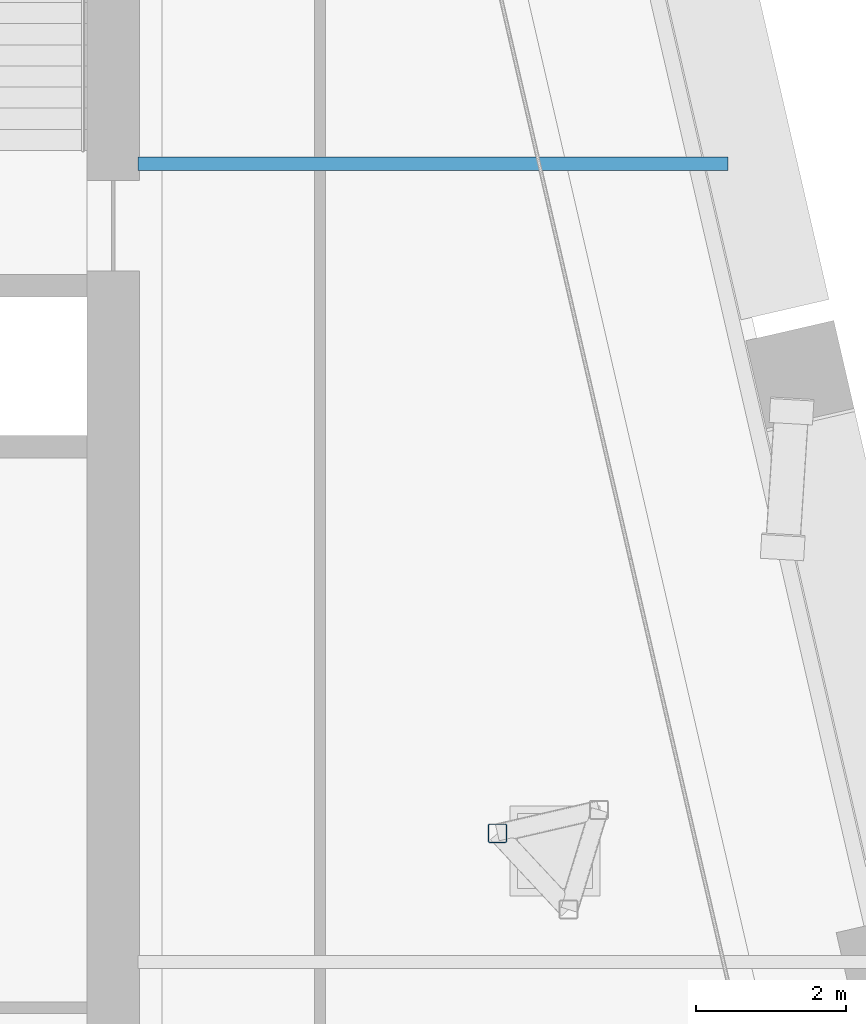
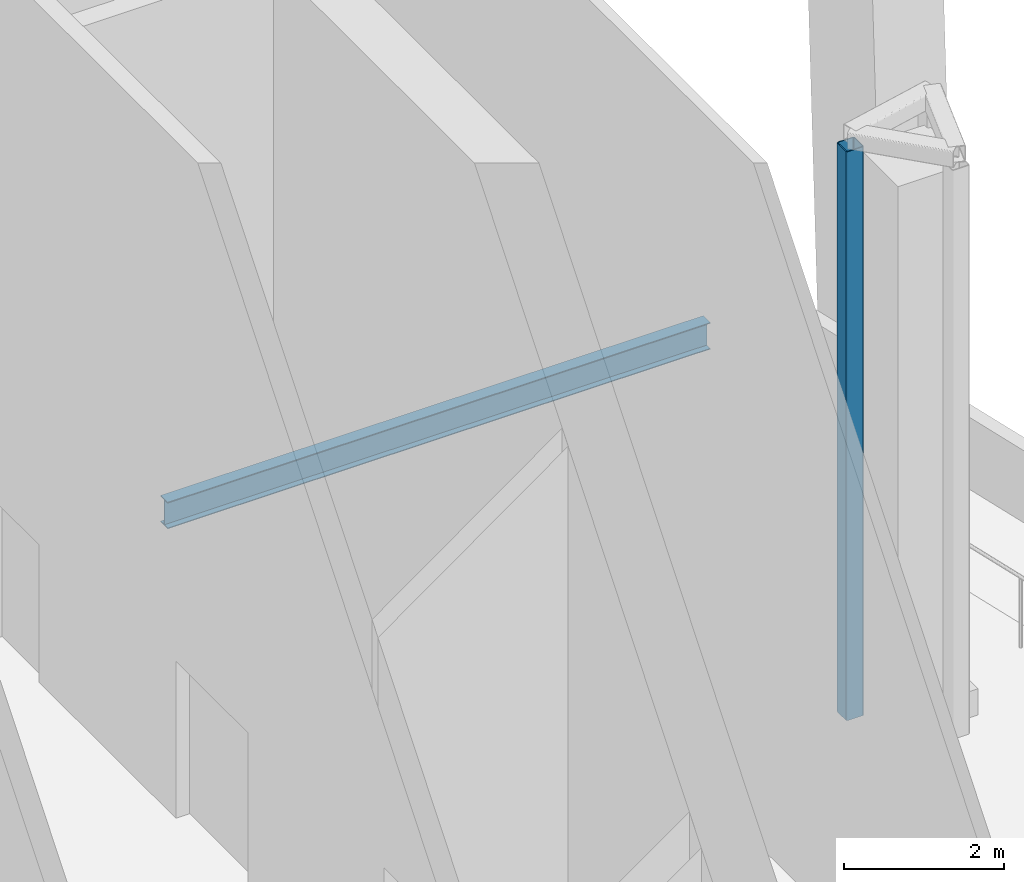
# One storey, part 9 of 25: 1 beam, 1 member.
"""IFC4 building model written with IfcOpenShell, lengths in metres."""

from ifc_helpers import new_model, si_unit, direction, frame, origin, origin_2d, place, context, subcontext, project, spatial, hollow_rectangle, i_section, extrude, material, material_profile, profile_set, type_object, element, save


model = new_model("IFC4")

# Units and contexts
model_context = context("Model", 3, precision=1e-05, world=origin(), true_north=direction((0.0, 1.0)))
body_context = subcontext(model_context, "Body", "Model", "MODEL_VIEW")
ifc_project = project(units=[si_unit("LENGTHUNIT", "METRE"), si_unit("AREAUNIT", "SQUARE_METRE"), si_unit("VOLUMEUNIT", "CUBIC_METRE"), si_unit("PLANEANGLEUNIT", "RADIAN"), si_unit("MASSUNIT", "GRAM", prefix="KILO")], contexts=[model_context])

# Site, building, storey
site_placement = place(None, origin())
site = spatial("IfcSite", under=ifc_project, at=site_placement, CompositionType="ELEMENT")
building_placement = place(site_placement, origin())
building = spatial("IfcBuilding", under=site, at=building_placement, Name="Ogive Exchange Tower", CompositionType="ELEMENT")
storey_placement = place(building_placement, frame((0.0, 0.0, 226.199951171875)))
storey = spatial("IfcBuildingStorey", under=building, at=storey_placement, Name="L50", CompositionType="ELEMENT", Elevation=226.199951171875)

# Beam
ifc_material_1 = material(Name="Steel ASTM A992 Gr50", Category="steel")
ifc_material_profile_1 = material_profile(ifc_material_1, i_section(OverallWidth=0.177978515625, OverallDepth=0.406005859375, WebThickness=0.0078125, FlangeThickness=0.0126953125, at=origin_2d()), Name="W410x60")
ifc_profile_set_1 = profile_set([ifc_material_profile_1], Name="Steel ASTM A992 Gr50")
beam_type = type_object("IfcBeamType", Name="Floor beam W410x60", PredefinedType="JOIST", material=ifc_profile_set_1)
beam_placement = place(storey_placement, frame((21.679931640625, 20.62255859375, -0.65283203125), z_axis=(1.0, 0.0, 0.0), x_axis=(0.0, 1.0, 0.0)))
element("IfcBeam", 1, at=beam_placement, inside=storey, type_object=beam_type, Name="Floor beam", PredefinedType="JOIST", context=body_context, shape_type="SweptSolid", body=[
    extrude(i_section(OverallWidth=0.177978515625, OverallDepth=0.406005859375, WebThickness=0.0078125, FlangeThickness=0.0126953125, at=origin_2d()), origin(), (0.0, 0.0, 1.0), 7.845703125),
])

# Member
ifc_material_2 = material(Name="Steel ASTM A1085 Gr A", Category="steel")
ifc_material_profile_2 = material_profile(ifc_material_2, hollow_rectangle(XDim=0.25390625, YDim=0.25390625, WallThickness=0.0126953125, InnerFilletRadius=0.0126953125, OuterFilletRadius=0.025390625, at=origin_2d()), Name="HSS254x254x12.7")
ifc_profile_set_2 = profile_set([ifc_material_profile_2], Name="Steel ASTM A1085 Gr A")
member_type = type_object("IfcMemberType", Name="Turbine cage mast HSS254x254x12.7", PredefinedType="POST", material=ifc_profile_set_2)
member_placement = place(storey_placement, frame((26.461181640625, 11.71826171875, 0.0), z_axis=(0.0, 0.0, 1.0), x_axis=(1.0, 0.0, 0.0)))
element("IfcMember", 2, at=member_placement, inside=storey, type_object=member_type, Name="Turbine cage mast 04.1", PredefinedType="POST", context=body_context, shape_type="SweptSolid", body=[
    extrude(hollow_rectangle(XDim=0.25390625, YDim=0.25390625, WallThickness=0.0126953125, InnerFilletRadius=0.0126953125, OuterFilletRadius=0.025390625, at=origin_2d()), origin(), (0.0, 0.0, 1.0), 8.696044921875),
])

save(model, "model.ifc")
